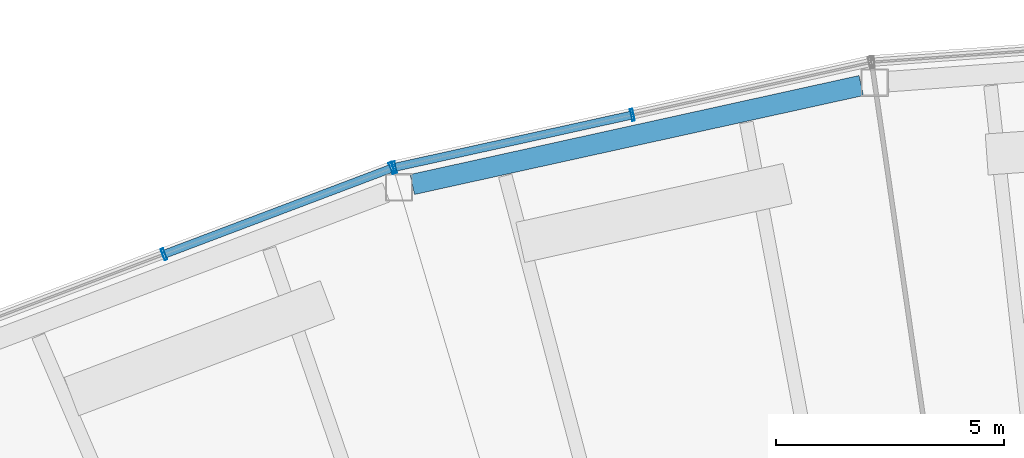
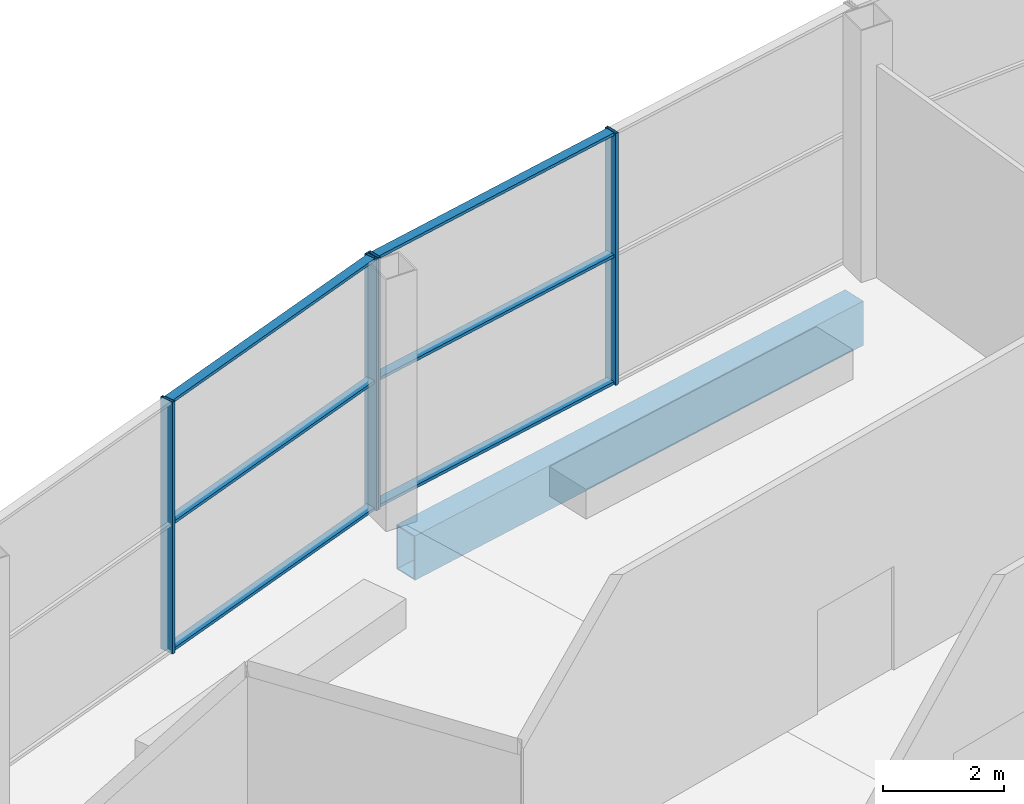
# One storey, part 16 of 43: 10 members, 1 beam, 2 elements without a shape of their own.
"""IFC4 building model written with IfcOpenShell, lengths in metres."""

import ifcopenshell
import ifcopenshell.guid

model = None  # the IFC model being written
_history = None  # IfcOwnerHistory: only IFC2X3 demands one
_inside = {}  # id of a spatial element -> (the spatial element, [elements in it])
_under = {}  # id of a project, library or spatial element -> (it, [spatial elements below it])
_declared = {}  # id of a project -> (the project, [libraries it declares])
_typed = {}  # id of a type object -> (the type object, [elements of that type])
_made_of = {}  # id of a material, layer set ... -> (it, [elements and type objects made of it])


def new_model(schema):
    """Start an empty IFC model of exactly this schema.

    Asked for "IFC4X3", IfcOpenShell would pick the latest addendum, in which some entities
    have other attributes; the version numbers below select the first issue.
    IFC2X3 requires an IfcOwnerHistory on every rooted entity: one is made here for all.
    """
    global model, _history
    if schema == "IFC4X3":
        model = ifcopenshell.file(schema_version=(4, 3, 0, 0))
    else:
        model = ifcopenshell.file(schema=schema)
    _inside.clear()
    _under.clear()
    _declared.clear()
    _typed.clear()
    _made_of.clear()
    _history = None
    if model.schema == "IFC2X3":
        org = make("IfcOrganization", Name="unknown")
        user = make(
            "IfcPersonAndOrganization",
            ThePerson=make("IfcPerson", FamilyName="unknown"),
            TheOrganization=org,
        )
        app = make(
            "IfcApplication",
            ApplicationDeveloper=org,
            Version="unknown",
            ApplicationFullName="unknown",
            ApplicationIdentifier="unknown",
        )
        _history = make(
            "IfcOwnerHistory",
            OwningUser=user,
            OwningApplication=app,
            ChangeAction="ADDED",
            CreationDate=0,
        )
    return model


def make(cls, **values):
    """One entity of the class cls with the attributes given. An attribute that is None is left unset."""
    return model.create_entity(
        cls, **{name: value for name, value in values.items() if value is not None}
    )


def rooted(cls, **values):
    """An entity with a GlobalId (a new one), such as an element, a storey or a relation."""
    return make(cls, GlobalId=ifcopenshell.guid.new(), OwnerHistory=_history, **values)


def si_unit(unit_type, name, prefix=None):
    """IfcSIUnit, for example si_unit("LENGTHUNIT", "METRE", prefix="MILLI")."""
    return make("IfcSIUnit", UnitType=unit_type, Prefix=prefix, Name=name)


def assignment(units):
    """IfcUnitAssignment: the units of a project."""
    return None if units is None else make("IfcUnitAssignment", Units=units)


def point(xyz):
    """IfcCartesianPoint."""
    return None if xyz is None else make("IfcCartesianPoint", Coordinates=xyz)


def direction(xyz):
    """IfcDirection."""
    return None if xyz is None else make("IfcDirection", DirectionRatios=xyz)


def frame(location, z_axis=None, x_axis=None):
    """IfcAxis2Placement3D, a coordinate frame: its origin and axes. An axis left out is left unset."""
    return make(
        "IfcAxis2Placement3D",
        Location=point(location),
        Axis=direction(z_axis),
        RefDirection=direction(x_axis),
    )


def frame_2d(location, x_axis=None):
    """IfcAxis2Placement2D, a coordinate frame in the plane: its origin and x axis."""
    return make(
        "IfcAxis2Placement2D", Location=point(location), RefDirection=direction(x_axis)
    )


def origin():
    """The frame at (0, 0, 0) with its axes left unset."""
    return frame((0.0, 0.0, 0.0))


def origin_2d():
    """The frame at (0, 0) in the plane with its x axis left unset."""
    return frame_2d((0.0, 0.0))


def place(relative_to, where):
    """IfcLocalPlacement: puts the frame where relative to a parent placement (None: the world)."""
    return make(
        "IfcLocalPlacement", PlacementRelTo=relative_to, RelativePlacement=where
    )


def context(
    kind, dimensions, precision=None, world=None, true_north=None, identifier=None
):
    """IfcGeometricRepresentationContext, for example the 3D "Model" context."""
    return make(
        "IfcGeometricRepresentationContext",
        ContextIdentifier=identifier,
        ContextType=kind,
        CoordinateSpaceDimension=dimensions,
        Precision=precision,
        WorldCoordinateSystem=world,
        TrueNorth=true_north,
    )


def subcontext(parent, identifier, kind, view, scale=None):
    """IfcGeometricRepresentationSubContext, for example "Body" below "Model"."""
    return make(
        "IfcGeometricRepresentationSubContext",
        ContextIdentifier=identifier,
        ContextType=kind,
        ParentContext=parent,
        TargetScale=scale,
        TargetView=view,
    )


def project(units=None, contexts=None):
    """IfcProject with its units and contexts."""
    return rooted(
        "IfcProject",
        Name="project",
        RepresentationContexts=contexts,
        UnitsInContext=assignment(units),
    )


def spatial(cls, under=None, at=None, **own):
    """A site, building, storey or space (cls), placed at a placement, below another one or the project."""
    s = rooted(cls, ObjectPlacement=at, **own)
    if under is not None:
        _under.setdefault(under.id(), (under, []))[1].append(s)
    return s


def profile(cls, at=None, kind="AREA", **sizes):
    """A parametric profile (cls). Its sizes go by their IFC names, for example OverallWidth=200.0."""
    return make(cls, ProfileType=kind, Position=at, **sizes)


def hollow_rectangle(**sizes):
    """IfcRectangleHollowProfileDef."""
    return profile("IfcRectangleHollowProfileDef", **sizes)


def extrude(swept, where, along, depth):
    """IfcExtrudedAreaSolid: the profile swept, set in the frame where, extruded along a direction by depth."""
    return make(
        "IfcExtrudedAreaSolid",
        SweptArea=swept,
        Position=where,
        ExtrudedDirection=direction(along),
        Depth=depth,
    )


def shape(context_of_items, identifier, shape_type, items):
    """IfcShapeRepresentation: the items that make up one representation, for example the "Body"."""
    return make(
        "IfcShapeRepresentation",
        ContextOfItems=context_of_items,
        RepresentationIdentifier=identifier,
        RepresentationType=shape_type,
        Items=items,
    )


def material(Name=None, Category=None):
    """IfcMaterial."""
    return make("IfcMaterial", Name=Name, Category=Category)


def layer(
    of_material, thickness, ventilated=None, Name=None, Category=None, Priority=None
):
    """IfcMaterialLayer: one layer of a wall or slab, of a material (None: an air gap)."""
    return make(
        "IfcMaterialLayer",
        Material=of_material,
        LayerThickness=thickness,
        IsVentilated=ventilated,
        Name=Name,
        Category=Category,
        Priority=Priority,
    )


def layer_set(layers, Name=None):
    """IfcMaterialLayerSet."""
    return make("IfcMaterialLayerSet", MaterialLayers=layers, LayerSetName=Name)


def material_profile(
    of_material, cross_section, Name=None, Category=None, Priority=None
):
    """IfcMaterialProfile: a cross section and its material."""
    return make(
        "IfcMaterialProfile",
        Name=Name,
        Material=of_material,
        Profile=cross_section,
        Priority=Priority,
        Category=Category,
    )


def profile_set(profiles, Name=None, composite=None):
    """IfcMaterialProfileSet."""
    return make(
        "IfcMaterialProfileSet",
        Name=Name,
        MaterialProfiles=profiles,
        CompositeProfile=composite,
    )


def made_of(thing, what):
    """Note that an element or type object is made of a material, layer set ...; save() writes the relation."""
    if what is not None:
        _made_of.setdefault(what.id(), (what, []))[1].append(thing)
    return thing


def type_object(cls, material=None, **own):
    """A type object (cls), such as IfcWallType, which elements share."""
    return made_of(rooted(cls, **own), material)


def element(
    cls,
    number,
    at=None,
    inside=None,
    cuts=None,
    type_object=None,
    material=None,
    context=None,
    identifier="Body",
    shape_type=None,
    held_by="IfcProductDefinitionShape",
    body=None,
    shapes=None,
    **own,
):
    """One element of the class cls, such as IfcWall. Its Tag is "e" and its number.

    at: its placement. inside: the storey or other place that contains it. cuts: it is an
    opening in that element (IfcRelVoidsElement). A single representation is given by context,
    identifier, shape_type and body (its items); several are given by shapes. held_by: the class
    of the entity that holds the representations. save() writes the other relations.
    """
    e = rooted(cls, Tag="e%d" % number, ObjectPlacement=at, **own)
    if body is not None:
        shapes = [shape(context, identifier, shape_type, body)]
    if shapes is not None:
        e.Representation = make(held_by, Representations=shapes)
    if inside is not None:
        _inside.setdefault(inside.id(), (inside, []))[1].append(e)
    if cuts is not None:
        rooted(
            "IfcRelVoidsElement", RelatingBuildingElement=cuts, RelatedOpeningElement=e
        )
    if type_object is not None:
        _typed.setdefault(type_object.id(), (type_object, []))[1].append(e)
    return made_of(e, material)


def aggregate(whole, parts):
    """IfcRelAggregates: a whole, such as a stair, and the parts it consists of."""
    return rooted("IfcRelAggregates", RelatingObject=whole, RelatedObjects=parts)


def save(model, path):
    """Write the relations noted so far, then the file.

    IfcRelAggregates (storeys below a building ...), IfcRelContainedInSpatialStructure (elements
    in a storey), IfcRelDefinesByType, IfcRelAssociatesMaterial and IfcRelDeclares: one each for
    every whole, place, type object, material and project.
    """
    for whole, parts in _under.values():
        aggregate(whole, parts)
    for where, things in _inside.values():
        rooted(
            "IfcRelContainedInSpatialStructure",
            RelatedElements=things,
            RelatingStructure=where,
        )
    for kind, things in _typed.values():
        rooted("IfcRelDefinesByType", RelatedObjects=things, RelatingType=kind)
    for what, things in _made_of.values():
        rooted("IfcRelAssociatesMaterial", RelatedObjects=things, RelatingMaterial=what)
    for by, libraries in _declared.values():
        rooted("IfcRelDeclares", RelatingContext=by, RelatedDefinitions=libraries)
    model.write(path)


model = new_model("IFC4")

# Units and contexts
model_context = context("Model", 3, precision=1e-05, world=origin(), true_north=direction((0.0, 1.0)))
body_context = subcontext(model_context, "Body", "Model", "MODEL_VIEW")
ifc_project = project(units=[si_unit("LENGTHUNIT", "METRE"), si_unit("AREAUNIT", "SQUARE_METRE"), si_unit("VOLUMEUNIT", "CUBIC_METRE"), si_unit("PLANEANGLEUNIT", "RADIAN"), si_unit("MASSUNIT", "GRAM", prefix="KILO")], contexts=[model_context])

# Site, building, storey
site_placement = place(None, origin())
site = spatial("IfcSite", under=ifc_project, at=site_placement, CompositionType="ELEMENT")
building_placement = place(site_placement, origin())
building = spatial("IfcBuilding", under=site, at=building_placement, Name="Tuul Gate Civic Tower", CompositionType="ELEMENT")
storey_placement = place(building_placement, frame((0.0, 0.0, 349.10009765625)))
storey = spatial("IfcBuildingStorey", under=building, at=storey_placement, Name="Observation level 1", CompositionType="ELEMENT", Elevation=349.10009765625)

# Curtain wall, members
ifc_material_1 = material(Name="Stainless steel", Category="steel")
ifc_layer = layer(ifc_material_1, 0.199951171875)
ifc_layer_set = layer_set([ifc_layer], Name="Stainless steel")
curtain_wall_type = type_object("IfcCurtainWallType", Name="Curtain wall CW4", PredefinedType="NOTDEFINED", material=ifc_layer_set)
curtain_wall_1_placement = place(storey_placement, origin())
curtain_wall_1 = element("IfcCurtainWall", 1, at=curtain_wall_1_placement, inside=storey, type_object=curtain_wall_type, Name="Curtain wall CW4", PredefinedType="NOTDEFINED")
ifc_material_2 = material(Name="Stainless steel", Category="steel")
ifc_material_profile_1 = material_profile(ifc_material_2, hollow_rectangle(XDim=0.260009765625, YDim=0.06005859375, WallThickness=0.006103515625, at=origin_2d()), Name="CW4 mullion")
ifc_profile_set_1 = profile_set([ifc_material_profile_1], Name="Stainless steel")
member_type_1 = type_object("IfcMemberType", Name="CW4 mullion", PredefinedType="MULLION", material=ifc_profile_set_1)
member_1_placement = place(storey_placement, frame((-13.767578125, 12.346923828125, 0.0), z_axis=(0.0, 0.0, 1.0), x_axis=(0.215215147882, -0.976566659334, 0.0)))
member_1 = element("IfcMember", 2, at=member_1_placement, type_object=member_type_1, Name="Mullion", PredefinedType="MULLION", context=body_context, shape_type="SweptSolid", body=[
    extrude(hollow_rectangle(XDim=0.260009765625, YDim=0.06005859375, WallThickness=0.006103515625, at=origin_2d()), origin(), (0.0, 0.0, 1.0), 5.099853515625),
])
member_2_placement = place(storey_placement, frame((-18.983642578125, 11.197509765625, 0.0), z_axis=(0.0, 0.0, 1.0), x_axis=(0.215215147882, -0.976566659334, 0.0)))
member_2 = element("IfcMember", 3, at=member_2_placement, type_object=member_type_1, Name="Mullion", PredefinedType="MULLION", context=body_context, shape_type="SweptSolid", body=[
    extrude(hollow_rectangle(XDim=0.260009765625, YDim=0.06005859375, WallThickness=0.006103515625, at=origin_2d()), origin(), (0.0, 0.0, 1.0), 5.099853515625),
])

curtain_wall_2_placement = place(storey_placement, origin())
curtain_wall_2 = element("IfcCurtainWall", 4, at=curtain_wall_2_placement, inside=storey, type_object=curtain_wall_type, Name="Curtain wall CW4", PredefinedType="NOTDEFINED")
member_3_placement = place(storey_placement, frame((-19.041015625, 11.180419921875, 0.0), z_axis=(0.0, 0.0, 1.0), x_axis=(0.35373363489, -0.935346200905, 0.0)))
member_3 = element("IfcMember", 5, at=member_3_placement, type_object=member_type_1, Name="Mullion", PredefinedType="MULLION", context=body_context, shape_type="SweptSolid", body=[
    extrude(hollow_rectangle(XDim=0.260009765625, YDim=0.06005859375, WallThickness=0.006103515625, at=origin_2d()), origin(), (0.0, 0.0, 1.0), 5.099853515625),
])
member_4_placement = place(storey_placement, frame((-24.037109375, 9.291015625, 0.0), z_axis=(0.0, 0.0, 1.0), x_axis=(0.35373363489, -0.935346200905, 0.0)))
member_4 = element("IfcMember", 6, at=member_4_placement, type_object=member_type_1, Name="Mullion", PredefinedType="MULLION", context=body_context, shape_type="SweptSolid", body=[
    extrude(hollow_rectangle(XDim=0.260009765625, YDim=0.06005859375, WallThickness=0.006103515625, at=origin_2d()), origin(), (0.0, 0.0, 1.0), 5.099853515625),
])

# Member
ifc_material_3 = material(Name="Stainless steel", Category="steel")
ifc_material_profile_2 = material_profile(ifc_material_3, hollow_rectangle(XDim=0.179931640625, YDim=0.06005859375, WallThickness=0.006103515625, at=origin_2d()), Name="CW4 transom")
ifc_profile_set_2 = profile_set([ifc_material_profile_2], Name="Stainless steel")
member_type_2 = type_object("IfcMemberType", Name="CW4 transom", PredefinedType="USERDEFINED", material=ifc_profile_set_2)
member_5_placement = place(storey_placement, frame((-13.796875, 12.340576171875, 0.02978515625), z_axis=(-0.976561939661, -0.215236562891, 0.0), x_axis=(0.215236562891, -0.976561939661, 0.0)))
member_5 = element("IfcMember", 7, at=member_5_placement, type_object=member_type_2, Name="Transom", ObjectType="TRANSOM", PredefinedType="USERDEFINED", context=body_context, shape_type="SweptSolid", body=[
    extrude(hollow_rectangle(XDim=0.179931640625, YDim=0.06005859375, WallThickness=0.006103515625, at=origin_2d()), origin(), (0.0, 0.0, 1.0), 5.28125),
])

member_6_placement = place(storey_placement, frame((-13.796875, 12.340576171875, 2.599853515625), z_axis=(-0.976561939661, -0.215236562891, 0.0), x_axis=(0.215236562891, -0.976561939661, 0.0)))
member_6 = element("IfcMember", 8, at=member_6_placement, type_object=member_type_2, Name="Transom", ObjectType="TRANSOM", PredefinedType="USERDEFINED", context=body_context, shape_type="SweptSolid", body=[
    extrude(hollow_rectangle(XDim=0.179931640625, YDim=0.06005859375, WallThickness=0.006103515625, at=origin_2d()), origin(), (0.0, 0.0, 1.0), 5.28125),
])

member_7_placement = place(storey_placement, frame((-13.796875, 12.340576171875, 5.06982421875), z_axis=(-0.976561939661, -0.215236562891, 0.0), x_axis=(0.215236562891, -0.976561939661, 0.0)))
member_7 = element("IfcMember", 9, at=member_7_placement, type_object=member_type_2, Name="Transom", ObjectType="TRANSOM", PredefinedType="USERDEFINED", context=body_context, shape_type="SweptSolid", body=[
    extrude(hollow_rectangle(XDim=0.179931640625, YDim=0.06005859375, WallThickness=0.006103515625, at=origin_2d()), origin(), (0.0, 0.0, 1.0), 5.28125),
])

aggregate(curtain_wall_1, [member_1, member_2, member_5, member_6, member_7])

member_8_placement = place(storey_placement, frame((-19.069091796875, 11.169677734375, 0.02978515625), z_axis=(-0.93534909907, -0.353725971438, 0.0), x_axis=(0.353725971438, -0.93534909907, 0.0)))
member_8 = element("IfcMember", 10, at=member_8_placement, type_object=member_type_2, Name="Transom", ObjectType="TRANSOM", PredefinedType="USERDEFINED", context=body_context, shape_type="SweptSolid", body=[
    extrude(hollow_rectangle(XDim=0.179931640625, YDim=0.06005859375, WallThickness=0.006103515625, at=origin_2d()), origin(), (0.0, 0.0, 1.0), 5.281494140625),
])

member_9_placement = place(storey_placement, frame((-19.069091796875, 11.169677734375, 2.599853515625), z_axis=(-0.93534909907, -0.353725971438, 0.0), x_axis=(0.353725971438, -0.93534909907, 0.0)))
member_9 = element("IfcMember", 11, at=member_9_placement, type_object=member_type_2, Name="Transom", ObjectType="TRANSOM", PredefinedType="USERDEFINED", context=body_context, shape_type="SweptSolid", body=[
    extrude(hollow_rectangle(XDim=0.179931640625, YDim=0.06005859375, WallThickness=0.006103515625, at=origin_2d()), origin(), (0.0, 0.0, 1.0), 5.281494140625),
])

member_10_placement = place(storey_placement, frame((-19.069091796875, 11.169677734375, 5.06982421875), z_axis=(-0.93534909907, -0.353725971438, 0.0), x_axis=(0.353725971438, -0.93534909907, 0.0)))
member_10 = element("IfcMember", 12, at=member_10_placement, type_object=member_type_2, Name="Transom", ObjectType="TRANSOM", PredefinedType="USERDEFINED", context=body_context, shape_type="SweptSolid", body=[
    extrude(hollow_rectangle(XDim=0.179931640625, YDim=0.06005859375, WallThickness=0.006103515625, at=origin_2d()), origin(), (0.0, 0.0, 1.0), 5.281494140625),
])

aggregate(curtain_wall_2, [member_3, member_4, member_8, member_9, member_10])

# Beam
ifc_material_4 = material(Name="Steel S355", Category="steel")
ifc_material_profile_3 = material_profile(ifc_material_4, hollow_rectangle(XDim=0.449951171875, YDim=0.89990234375, WallThickness=0.02490234375, at=origin_2d()), Name="BOX900x450x25")
ifc_profile_set_3 = profile_set([ifc_material_profile_3], Name="Steel S355")
beam_type = type_object("IfcBeamType", Name="STR-SPANDREL BEAM-BOX900x450x25", PredefinedType="BEAM", material=ifc_profile_set_3)
beam_placement = place(storey_placement, frame((-8.75, 12.991455078125, -0.85009765625), z_axis=(-0.97656744164, -0.215211598034, 0.0), x_axis=(0.215211598034, -0.97656744164, 0.0)))
element("IfcBeam", 13, at=beam_placement, inside=storey, type_object=beam_type, Name="Spandrel beam", PredefinedType="BEAM", context=body_context, shape_type="SweptSolid", body=[
    extrude(hollow_rectangle(XDim=0.449951171875, YDim=0.89990234375, WallThickness=0.02490234375, at=origin_2d()), origin(), (0.0, 0.0, 1.0), 10.078125),
])

save(model, "model.ifc")
